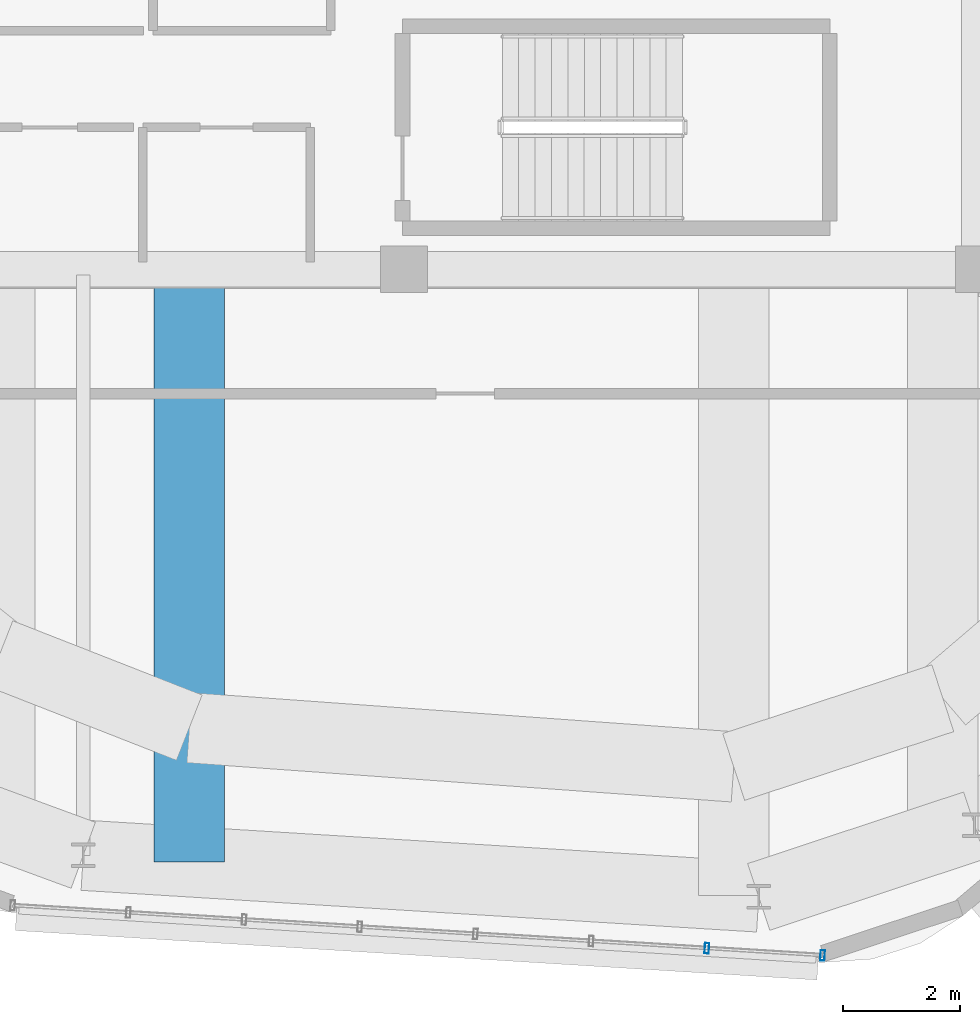
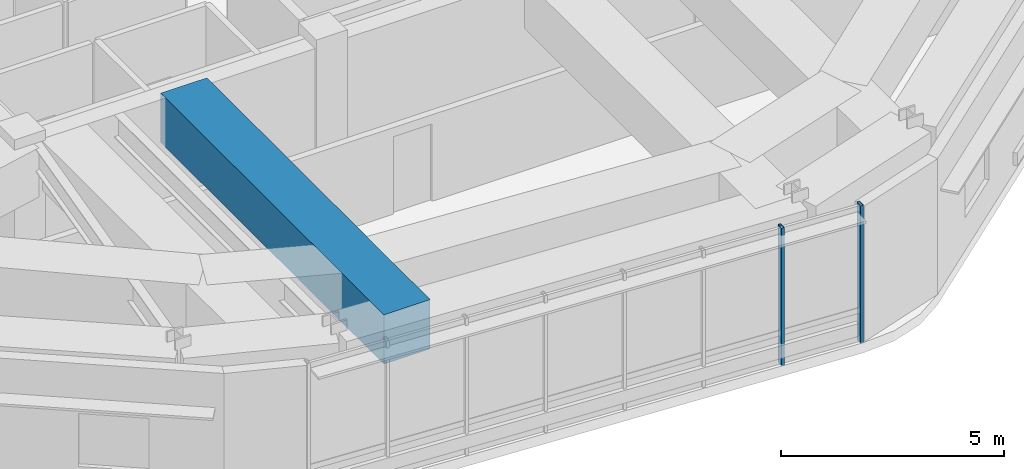
# One storey, part 5 of 17: 2 members, 1 beam, 1 element without a shape of its own.
"""IFC4 building model written with IfcOpenShell, lengths in metres."""

from ifc_helpers import new_model, si_unit, direction, frame, origin, origin_2d, place, context, subcontext, project, spatial, rectangle, hollow_rectangle, extrude, material, material_profile, profile_set, type_object, element, aggregate, save


model = new_model("IFC4")

# Units and contexts
model_context = context("Model", 3, precision=1e-05, world=origin(), true_north=direction((0.0, 1.0)))
body_context = subcontext(model_context, "Body", "Model", "MODEL_VIEW")
ifc_project = project(units=[si_unit("LENGTHUNIT", "METRE"), si_unit("AREAUNIT", "SQUARE_METRE"), si_unit("VOLUMEUNIT", "CUBIC_METRE"), si_unit("PLANEANGLEUNIT", "RADIAN"), si_unit("MASSUNIT", "GRAM", prefix="KILO")], contexts=[model_context])

# Site, building, storey
site_placement = place(None, origin())
site = spatial("IfcSite", under=ifc_project, at=site_placement, CompositionType="ELEMENT")
building_placement = place(site_placement, origin())
building = spatial("IfcBuilding", under=site, at=building_placement, Name="Zulverin Broadcast Headquarters", CompositionType="ELEMENT")
storey_placement = place(building_placement, frame((0.0, 0.0, 317.39990234375)))
storey = spatial("IfcBuildingStorey", under=building, at=storey_placement, Name="C2", CompositionType="ELEMENT", Elevation=317.39990234375)

# Beam
ifc_material_1 = material(Name="Concrete C50/60", Category="concrete")
ifc_material_profile_1 = material_profile(ifc_material_1, rectangle(XDim=1.199951171875, YDim=1.35009765625, at=origin_2d()), Name="Concrete C50/60", Category="concrete")
ifc_profile_set_1 = profile_set([ifc_material_profile_1], Name="Concrete C50/60")
beam_type = type_object("IfcBeamType", Name="BM-TG-CRN-1350", PredefinedType="USERDEFINED", material=ifc_profile_set_1)
beam_placement = place(storey_placement, frame((34.783447265625, 17.22509765625, 3.045166015625), z_axis=(0.0, -1.0, 0.0), x_axis=(1.0, 0.0, 0.0)))
element("IfcBeam", 1, at=beam_placement, inside=storey, type_object=beam_type, Name="C3 Step Transfer Girder TG-01", ObjectType="TRANSFER GIRDER", PredefinedType="USERDEFINED", context=body_context, shape_type="SweptSolid", body=[
    extrude(rectangle(XDim=1.199951171875, YDim=1.35009765625, at=origin_2d()), origin(), (0.0, 0.0, 1.0), 10.022216796875),
])

# Curtain wall, members
ifc_material_2 = material(Name="Crown damper-hall structural glass curtain wall", Category="glass")
curtain_wall_type = type_object("IfcCurtainWallType", Name="CW-CRN", PredefinedType="USERDEFINED", material=ifc_material_2)
curtain_wall_placement = place(storey_placement, origin())
curtain_wall = element("IfcCurtainWall", 2, at=curtain_wall_placement, inside=storey, type_object=curtain_wall_type, Name="C2 Unitised Curtain Wall CW-C2-E1", ObjectType="UNITISED CURTAIN WALL", PredefinedType="USERDEFINED")
ifc_material_3 = material(Name="Anodized pale-metal aluminium alloy 6063-T6", Category="aluminium")
ifc_material_profile_2 = material_profile(ifc_material_3, hollow_rectangle(XDim=0.074951171875, YDim=0.179931640625, WallThickness=0.0048828125, at=origin_2d()), Name="Anodized pale-metal aluminium alloy 6063-T6", Category="aluminium")
ifc_profile_set_2 = profile_set([ifc_material_profile_2], Name="Anodized pale-metal aluminium alloy 6063-T6")
member_type = type_object("IfcMemberType", Name="CW-MUL-180", PredefinedType="MULLION", material=ifc_profile_set_2)
member_1_placement = place(storey_placement, frame((43.624755859375, 5.7255859375, -0.02978515625), z_axis=(0.0, 0.0, 1.0), x_axis=(0.998102696661, -0.061571153301, 0.0)))
member_1 = element("IfcMember", 3, at=member_1_placement, type_object=member_type, Name="CW-C2-E1 Mullion 06", PredefinedType="MULLION", context=body_context, shape_type="SweptSolid", body=[
    extrude(hollow_rectangle(XDim=0.074951171875, YDim=0.179931640625, WallThickness=0.0048828125, at=origin_2d()), origin(), (0.0, 0.0, 1.0), 3.77978515625),
])
member_2_placement = place(storey_placement, frame((45.60107421875, 5.603759765625, -0.02978515625), z_axis=(0.0, 0.0, 1.0), x_axis=(0.998102696661, -0.061571153301, 0.0)))
member_2 = element("IfcMember", 4, at=member_2_placement, type_object=member_type, Name="CW-C2-E1 Mullion 07", PredefinedType="MULLION", context=body_context, shape_type="SweptSolid", body=[
    extrude(hollow_rectangle(XDim=0.074951171875, YDim=0.179931640625, WallThickness=0.0048828125, at=origin_2d()), origin(), (0.0, 0.0, 1.0), 3.77978515625),
])
aggregate(curtain_wall, [member_1, member_2])

save(model, "model.ifc")
